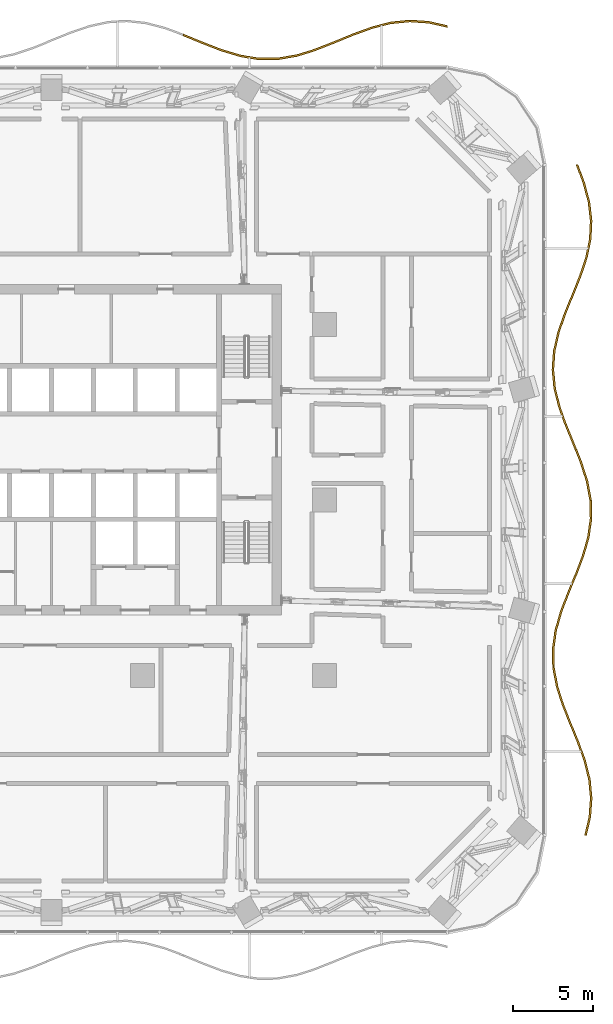
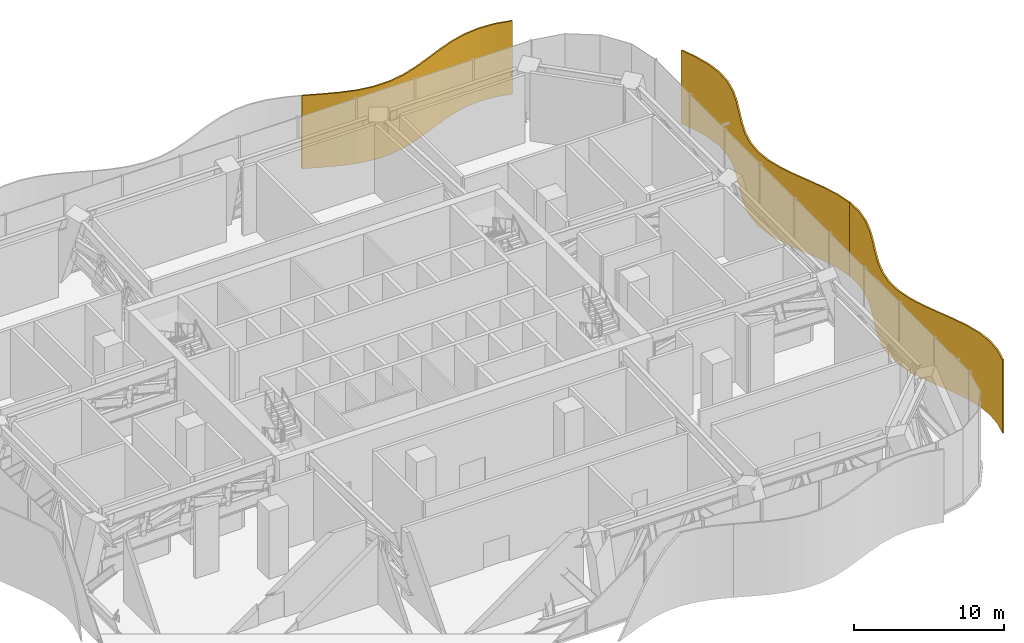
# One storey, part 32 of 32: 3 shading devices.
"""IFC4 building model written with IfcOpenShell, lengths in metres."""

import ifcopenshell
import ifcopenshell.guid

model = None  # the IFC model being written
_history = None  # IfcOwnerHistory: only IFC2X3 demands one
_inside = {}  # id of a spatial element -> (the spatial element, [elements in it])
_under = {}  # id of a project, library or spatial element -> (it, [spatial elements below it])
_declared = {}  # id of a project -> (the project, [libraries it declares])
_typed = {}  # id of a type object -> (the type object, [elements of that type])
_made_of = {}  # id of a material, layer set ... -> (it, [elements and type objects made of it])


def new_model(schema):
    """Start an empty IFC model of exactly this schema.

    Asked for "IFC4X3", IfcOpenShell would pick the latest addendum, in which some entities
    have other attributes; the version numbers below select the first issue.
    IFC2X3 requires an IfcOwnerHistory on every rooted entity: one is made here for all.
    """
    global model, _history
    if schema == "IFC4X3":
        model = ifcopenshell.file(schema_version=(4, 3, 0, 0))
    else:
        model = ifcopenshell.file(schema=schema)
    _inside.clear()
    _under.clear()
    _declared.clear()
    _typed.clear()
    _made_of.clear()
    _history = None
    if model.schema == "IFC2X3":
        org = make("IfcOrganization", Name="unknown")
        user = make(
            "IfcPersonAndOrganization",
            ThePerson=make("IfcPerson", FamilyName="unknown"),
            TheOrganization=org,
        )
        app = make(
            "IfcApplication",
            ApplicationDeveloper=org,
            Version="unknown",
            ApplicationFullName="unknown",
            ApplicationIdentifier="unknown",
        )
        _history = make(
            "IfcOwnerHistory",
            OwningUser=user,
            OwningApplication=app,
            ChangeAction="ADDED",
            CreationDate=0,
        )
    return model


def make(cls, **values):
    """One entity of the class cls with the attributes given. An attribute that is None is left unset."""
    return model.create_entity(
        cls, **{name: value for name, value in values.items() if value is not None}
    )


def rooted(cls, **values):
    """An entity with a GlobalId (a new one), such as an element, a storey or a relation."""
    return make(cls, GlobalId=ifcopenshell.guid.new(), OwnerHistory=_history, **values)


def si_unit(unit_type, name, prefix=None):
    """IfcSIUnit, for example si_unit("LENGTHUNIT", "METRE", prefix="MILLI")."""
    return make("IfcSIUnit", UnitType=unit_type, Prefix=prefix, Name=name)


def assignment(units):
    """IfcUnitAssignment: the units of a project."""
    return None if units is None else make("IfcUnitAssignment", Units=units)


def point(xyz):
    """IfcCartesianPoint."""
    return None if xyz is None else make("IfcCartesianPoint", Coordinates=xyz)


def direction(xyz):
    """IfcDirection."""
    return None if xyz is None else make("IfcDirection", DirectionRatios=xyz)


def frame(location, z_axis=None, x_axis=None):
    """IfcAxis2Placement3D, a coordinate frame: its origin and axes. An axis left out is left unset."""
    return make(
        "IfcAxis2Placement3D",
        Location=point(location),
        Axis=direction(z_axis),
        RefDirection=direction(x_axis),
    )


def origin():
    """The frame at (0, 0, 0) with its axes left unset."""
    return frame((0.0, 0.0, 0.0))


def place(relative_to, where):
    """IfcLocalPlacement: puts the frame where relative to a parent placement (None: the world)."""
    return make(
        "IfcLocalPlacement", PlacementRelTo=relative_to, RelativePlacement=where
    )


def context(
    kind, dimensions, precision=None, world=None, true_north=None, identifier=None
):
    """IfcGeometricRepresentationContext, for example the 3D "Model" context."""
    return make(
        "IfcGeometricRepresentationContext",
        ContextIdentifier=identifier,
        ContextType=kind,
        CoordinateSpaceDimension=dimensions,
        Precision=precision,
        WorldCoordinateSystem=world,
        TrueNorth=true_north,
    )


def subcontext(parent, identifier, kind, view, scale=None):
    """IfcGeometricRepresentationSubContext, for example "Body" below "Model"."""
    return make(
        "IfcGeometricRepresentationSubContext",
        ContextIdentifier=identifier,
        ContextType=kind,
        ParentContext=parent,
        TargetScale=scale,
        TargetView=view,
    )


def project(units=None, contexts=None):
    """IfcProject with its units and contexts."""
    return rooted(
        "IfcProject",
        Name="project",
        RepresentationContexts=contexts,
        UnitsInContext=assignment(units),
    )


def spatial(cls, under=None, at=None, **own):
    """A site, building, storey or space (cls), placed at a placement, below another one or the project."""
    s = rooted(cls, ObjectPlacement=at, **own)
    if under is not None:
        _under.setdefault(under.id(), (under, []))[1].append(s)
    return s


def polyline(points):
    """IfcPolyline through the points."""
    return make("IfcPolyline", Points=[point(p) for p in points])


def outline(outer, holes=None, kind="AREA"):
    """IfcArbitraryClosedProfileDef: a profile drawn as a closed curve; with holes, ...WithVoids."""
    if holes is None:
        return make("IfcArbitraryClosedProfileDef", ProfileType=kind, OuterCurve=outer)
    return make(
        "IfcArbitraryProfileDefWithVoids",
        ProfileType=kind,
        OuterCurve=outer,
        InnerCurves=holes,
    )


def extrude(swept, where, along, depth):
    """IfcExtrudedAreaSolid: the profile swept, set in the frame where, extruded along a direction by depth."""
    return make(
        "IfcExtrudedAreaSolid",
        SweptArea=swept,
        Position=where,
        ExtrudedDirection=direction(along),
        Depth=depth,
    )


def shape(context_of_items, identifier, shape_type, items):
    """IfcShapeRepresentation: the items that make up one representation, for example the "Body"."""
    return make(
        "IfcShapeRepresentation",
        ContextOfItems=context_of_items,
        RepresentationIdentifier=identifier,
        RepresentationType=shape_type,
        Items=items,
    )


def material(Name=None, Category=None):
    """IfcMaterial."""
    return make("IfcMaterial", Name=Name, Category=Category)


def layer(
    of_material, thickness, ventilated=None, Name=None, Category=None, Priority=None
):
    """IfcMaterialLayer: one layer of a wall or slab, of a material (None: an air gap)."""
    return make(
        "IfcMaterialLayer",
        Material=of_material,
        LayerThickness=thickness,
        IsVentilated=ventilated,
        Name=Name,
        Category=Category,
        Priority=Priority,
    )


def layer_set(layers, Name=None):
    """IfcMaterialLayerSet."""
    return make("IfcMaterialLayerSet", MaterialLayers=layers, LayerSetName=Name)


def made_of(thing, what):
    """Note that an element or type object is made of a material, layer set ...; save() writes the relation."""
    if what is not None:
        _made_of.setdefault(what.id(), (what, []))[1].append(thing)
    return thing


def type_object(cls, material=None, **own):
    """A type object (cls), such as IfcWallType, which elements share."""
    return made_of(rooted(cls, **own), material)


def element(
    cls,
    number,
    at=None,
    inside=None,
    cuts=None,
    type_object=None,
    material=None,
    context=None,
    identifier="Body",
    shape_type=None,
    held_by="IfcProductDefinitionShape",
    body=None,
    shapes=None,
    **own,
):
    """One element of the class cls, such as IfcWall. Its Tag is "e" and its number.

    at: its placement. inside: the storey or other place that contains it. cuts: it is an
    opening in that element (IfcRelVoidsElement). A single representation is given by context,
    identifier, shape_type and body (its items); several are given by shapes. held_by: the class
    of the entity that holds the representations. save() writes the other relations.
    """
    e = rooted(cls, Tag="e%d" % number, ObjectPlacement=at, **own)
    if body is not None:
        shapes = [shape(context, identifier, shape_type, body)]
    if shapes is not None:
        e.Representation = make(held_by, Representations=shapes)
    if inside is not None:
        _inside.setdefault(inside.id(), (inside, []))[1].append(e)
    if cuts is not None:
        rooted(
            "IfcRelVoidsElement", RelatingBuildingElement=cuts, RelatedOpeningElement=e
        )
    if type_object is not None:
        _typed.setdefault(type_object.id(), (type_object, []))[1].append(e)
    return made_of(e, material)


def aggregate(whole, parts):
    """IfcRelAggregates: a whole, such as a stair, and the parts it consists of."""
    return rooted("IfcRelAggregates", RelatingObject=whole, RelatedObjects=parts)


def save(model, path):
    """Write the relations noted so far, then the file.

    IfcRelAggregates (storeys below a building ...), IfcRelContainedInSpatialStructure (elements
    in a storey), IfcRelDefinesByType, IfcRelAssociatesMaterial and IfcRelDeclares: one each for
    every whole, place, type object, material and project.
    """
    for whole, parts in _under.values():
        aggregate(whole, parts)
    for where, things in _inside.values():
        rooted(
            "IfcRelContainedInSpatialStructure",
            RelatedElements=things,
            RelatingStructure=where,
        )
    for kind, things in _typed.values():
        rooted("IfcRelDefinesByType", RelatedObjects=things, RelatingType=kind)
    for what, things in _made_of.values():
        rooted("IfcRelAssociatesMaterial", RelatedObjects=things, RelatingMaterial=what)
    for by, libraries in _declared.values():
        rooted("IfcRelDeclares", RelatingContext=by, RelatedDefinitions=libraries)
    model.write(path)


model = new_model("IFC4")

# Units and contexts
model_context = context("Model", 3, precision=1e-05, world=origin(), true_north=direction((0.0, 1.0)))
body_context = subcontext(model_context, "Body", "Model", "MODEL_VIEW")
ifc_project = project(units=[si_unit("LENGTHUNIT", "METRE"), si_unit("AREAUNIT", "SQUARE_METRE"), si_unit("VOLUMEUNIT", "CUBIC_METRE"), si_unit("PLANEANGLEUNIT", "RADIAN"), si_unit("MASSUNIT", "GRAM", prefix="KILO")], contexts=[model_context])

# Site, building, storey
site_placement = place(None, origin())
site = spatial("IfcSite", under=ifc_project, at=site_placement, CompositionType="ELEMENT")
building_placement = place(site_placement, origin())
building = spatial("IfcBuilding", under=site, at=building_placement, Name="Mopane Tessera Tower", CompositionType="ELEMENT")
storey_placement = place(building_placement, frame((0.0, 0.0, 88.60009765625)))
storey = spatial("IfcBuildingStorey", under=building, at=storey_placement, Name="L17", CompositionType="ELEMENT", Elevation=88.60009765625)

# Shading devices
ifc_material = material(Name="Anodised aluminium louvre blades", Category="aluminium")
ifc_layer = layer(ifc_material, 0.1201171875)
ifc_layer_set = layer_set([ifc_layer], Name="Anodised aluminium louvre blades")
shading_device_type = type_object("IfcShadingDeviceType", Name="Wave louvre screen", PredefinedType="JALOUSIE", material=ifc_layer_set)
shading_device_1_placement = place(storey_placement, frame((0.0, 0.0, -0.420166015625)))
element("IfcShadingDevice", 1, at=shading_device_1_placement, inside=storey, type_object=shading_device_type, Name="e:lv:L17:E:0", PredefinedType="JALOUSIE", context=body_context, shape_type="SweptSolid", body=[
    extrude(outline(polyline([(33.388427734375, -21.0), (33.6552734375, -19.833251953125), (33.739501953125, -18.666748046875), (33.627685546875, -17.5), (33.337646484375, -16.333251953125), (32.91748046875, -15.166748046875), (32.435302734375, -14.0), (31.970458984375, -12.833251953125), (31.5986328125, -11.666748046875), (31.380859375, -10.5), (31.352783203125, -9.333251953125), (31.5185546875, -8.166748046875), (31.851806640625, -7.0), (32.29736328125, -5.833251953125), (32.78271484375, -4.666748046875), (33.228271484375, -3.5), (33.561279296875, -2.333251953125), (33.727294921875, -1.166748046875), (33.69921875, 0.0), (33.819091796875, 0.0), (33.847412109375, -1.166748046875), (33.681396484375, -2.333251953125), (33.348388671875, -3.5), (32.902587890625, -4.666748046875), (32.417236328125, -5.833251953125), (31.9716796875, -7.0), (31.638671875, -8.166748046875), (31.47265625, -9.333251953125), (31.5009765625, -10.5), (31.71875, -11.666748046875), (32.090576171875, -12.833251953125), (32.555419921875, -14.0), (33.037353515625, -15.166748046875), (33.457763671875, -16.333251953125), (33.74755859375, -17.5), (33.859375, -18.666748046875), (33.775146484375, -19.833251953125), (33.508544921875, -21.0), (33.388427734375, -21.0)])), origin(), (0.0, 0.0, 1.0), 5.969970703125),
])
shading_device_2_placement = place(storey_placement, frame((0.0, 0.0, -0.420166015625)))
element("IfcShadingDevice", 2, at=shading_device_2_placement, inside=storey, type_object=shading_device_type, Name="e:lv:L17:E:1", PredefinedType="JALOUSIE", context=body_context, shape_type="SweptSolid", body=[
    extrude(outline(polyline([(33.69921875, 0.0), (33.481201171875, 1.166748046875), (33.109619140625, 2.333251953125), (32.64453125, 3.5), (32.16259765625, 4.666748046875), (31.7421875, 5.833251953125), (31.452392578125, 7.0), (31.340576171875, 8.166748046875), (31.4248046875, 9.333251953125), (31.69140625, 10.5), (32.096923828125, 11.666748046875), (32.574951171875, 12.833251953125), (33.047119140625, 14.0), (33.4365234375, 15.166748046875), (33.67919921875, 16.333251953125), (33.7353515625, 17.5), (33.59619140625, 18.666748046875), (33.2841796875, 19.833251953125), (32.8505859375, 21.0), (32.970703125, 21.0), (33.404296875, 19.833251953125), (33.71630859375, 18.666748046875), (33.85546875, 17.5), (33.799072265625, 16.333251953125), (33.556396484375, 15.166748046875), (33.167236328125, 14.0), (32.69482421875, 12.833251953125), (32.217041015625, 11.666748046875), (31.8115234375, 10.5), (31.544677734375, 9.333251953125), (31.46044921875, 8.166748046875), (31.572509765625, 7.0), (31.8623046875, 5.833251953125), (32.282470703125, 4.666748046875), (32.7646484375, 3.5), (33.2294921875, 2.333251953125), (33.601318359375, 1.166748046875), (33.819091796875, 0.0), (33.69921875, 0.0)])), origin(), (0.0, 0.0, 1.0), 5.969970703125),
])
shading_device_3_placement = place(storey_placement, frame((0.0, 0.0, -0.420166015625)))
element("IfcShadingDevice", 3, at=shading_device_3_placement, inside=storey, type_object=shading_device_type, Name="e:lv:L17:N:0", PredefinedType="JALOUSIE", context=body_context, shape_type="SweptSolid", body=[
    extrude(outline(polyline([(24.800048828125, 29.588623046875), (23.619140625, 29.857421875), (22.43798828125, 29.93896484375), (21.257080078125, 29.81982421875), (20.076171875, 29.519775390625), (18.895263671875, 29.0888671875), (17.71435546875, 28.599609375), (16.533447265625, 28.134033203125), (15.352294921875, 27.769775390625), (14.17138671875, 27.568115234375), (12.990478515625, 27.562744140625), (11.8095703125, 27.754638671875), (10.628662109375, 28.11181640625), (9.447509765625, 28.573974609375), (8.2666015625, 29.06396484375), (8.2666015625, 29.18408203125), (9.447509765625, 28.694091796875), (10.628662109375, 28.231689453125), (11.8095703125, 27.874755859375), (12.990478515625, 27.682861328125), (14.17138671875, 27.688232421875), (15.352294921875, 27.8896484375), (16.533447265625, 28.25390625), (17.71435546875, 28.7197265625), (18.895263671875, 29.208984375), (20.076171875, 29.6396484375), (21.257080078125, 29.93994140625), (22.43798828125, 30.05908203125), (23.619140625, 29.977294921875), (24.800048828125, 29.70849609375), (24.800048828125, 29.588623046875)])), origin(), (0.0, 0.0, 1.0), 5.969970703125),
])

save(model, "model.ifc")
